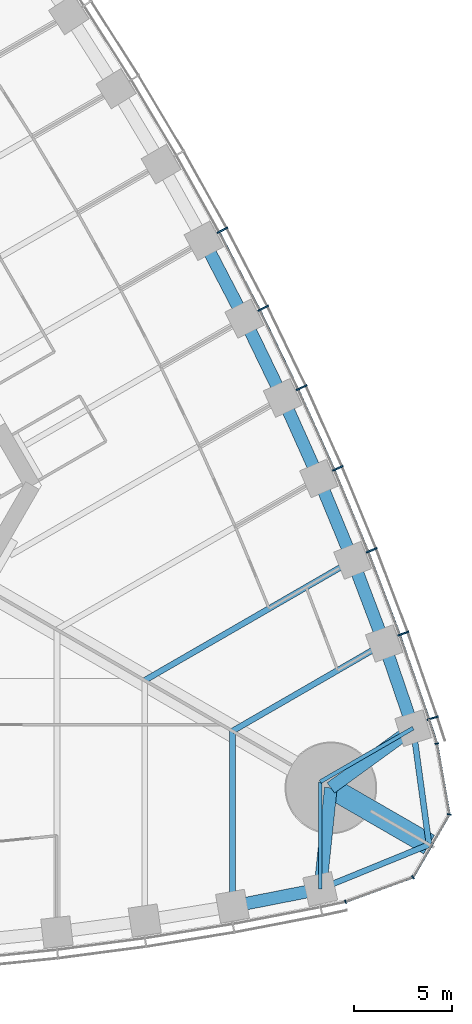
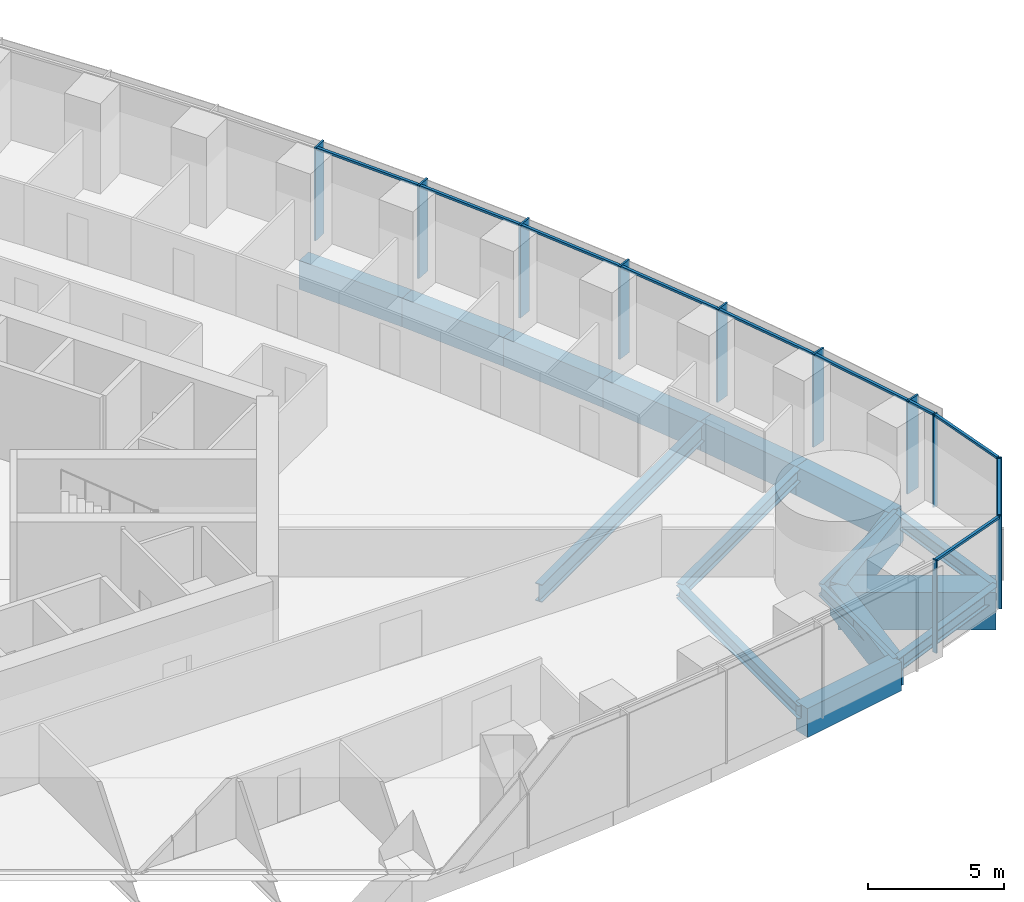
# One storey, part 6 of 18: 21 members, 17 beams, 2 elements without a shape of their own.
"""IFC4 building model written with IfcOpenShell, lengths in metres."""

from ifc_helpers import new_model, si_unit, direction, frame, origin, origin_2d, place, context, subcontext, project, spatial, rectangle, i_section, extrude, material, material_profile, profile_set, type_object, element, aggregate, save


model = new_model("IFC4")

# Units and contexts
model_context = context("Model", 3, precision=1e-05, world=origin(), true_north=direction((0.0, 1.0)))
body_context = subcontext(model_context, "Body", "Model", "MODEL_VIEW")
ifc_project = project(units=[si_unit("LENGTHUNIT", "METRE"), si_unit("AREAUNIT", "SQUARE_METRE"), si_unit("VOLUMEUNIT", "CUBIC_METRE"), si_unit("PLANEANGLEUNIT", "RADIAN"), si_unit("MASSUNIT", "GRAM", prefix="KILO")], contexts=[model_context])

# Site, building, storey
site_placement = place(None, origin())
site = spatial("IfcSite", under=ifc_project, at=site_placement, CompositionType="ELEMENT")
building_placement = place(site_placement, origin())
building = spatial("IfcBuilding", under=site, at=building_placement, Name="Trefoil Bronze Tower", CompositionType="ELEMENT")
storey_placement = place(building_placement, frame((0.0, 0.0, 58.5)))
storey = spatial("IfcBuildingStorey", under=building, at=storey_placement, Name="L13", CompositionType="ELEMENT", Elevation=58.5)

# Curtain wall, members
ifc_material_1 = material(Name="Tinted solar-control glass", Category="glass")
curtain_wall_type_1 = type_object("IfcCurtainWallType", Name="Bronze office curtain wall", PredefinedType="USERDEFINED", material=ifc_material_1)
curtain_wall_1_placement = place(storey_placement, origin())
curtain_wall_1 = element("IfcCurtainWall", 1, at=curtain_wall_1_placement, inside=storey, type_object=curtain_wall_type_1, Name="CW-A L13 F2", ObjectType="CURTAIN WALL", PredefinedType="USERDEFINED")
ifc_material_2 = material(Name="Bronze-finish aluminium", Category="aluminium")
ifc_material_profile_1 = material_profile(ifc_material_2, rectangle(XDim=0.60009765625, YDim=0.080078125, at=origin_2d()), Name="CW-A mullion")
ifc_profile_set_1 = profile_set([ifc_material_profile_1], Name="Bronze-finish aluminium")
member_type_1 = type_object("IfcMemberType", Name="Bronze office curtain wall mullion", PredefinedType="MULLION", material=ifc_profile_set_1)
member_1_placement = place(storey_placement, frame((37.265869140625, -14.92626953125, 0.0), z_axis=(0.0, 0.0, 1.0), x_axis=(-0.947850592929, -0.318715003543, 0.0)))
member_1 = element("IfcMember", 2, at=member_1_placement, type_object=member_type_1, Name="CW-A L13 F2 mullion 2", PredefinedType="MULLION", context=body_context, shape_type="SweptSolid", body=[
    extrude(rectangle(XDim=0.60009765625, YDim=0.080078125, at=origin_2d()), origin(), (0.0, 0.0, 1.0), 4.179931640625),
])
member_2_placement = place(storey_placement, frame((35.761962890625, -10.590087890625, 0.0), z_axis=(0.0, 0.0, 1.0), x_axis=(-0.939860248316, -0.341559238839, 0.0)))
member_2 = element("IfcMember", 3, at=member_2_placement, type_object=member_type_1, Name="CW-A L13 F2 mullion 3", PredefinedType="MULLION", context=body_context, shape_type="SweptSolid", body=[
    extrude(rectangle(XDim=0.60009765625, YDim=0.080078125, at=origin_2d()), origin(), (0.0, 0.0, 1.0), 4.179931640625),
])
member_3_placement = place(storey_placement, frame((34.138916015625, -6.32080078125, 0.0), z_axis=(0.0, 0.0, 1.0), x_axis=(-0.929413605838, -0.369039766534, 0.0)))
member_3 = element("IfcMember", 4, at=member_3_placement, type_object=member_type_1, Name="CW-A L13 F2 mullion 4", PredefinedType="MULLION", context=body_context, shape_type="SweptSolid", body=[
    extrude(rectangle(XDim=0.60009765625, YDim=0.080078125, at=origin_2d()), origin(), (0.0, 0.0, 1.0), 4.179931640625),
])
member_4_placement = place(storey_placement, frame((32.39892578125, -2.119384765625, 0.0), z_axis=(0.0, 0.0, 1.0), x_axis=(-0.918213748442, -0.396085233469, 0.0)))
member_4 = element("IfcMember", 5, at=member_4_placement, type_object=member_type_1, Name="CW-A L13 F2 mullion 5", PredefinedType="MULLION", context=body_context, shape_type="SweptSolid", body=[
    extrude(rectangle(XDim=0.60009765625, YDim=0.080078125, at=origin_2d()), origin(), (0.0, 0.0, 1.0), 4.179931640625),
])
member_5_placement = place(storey_placement, frame((30.543212890625, 2.015380859375, 0.0), z_axis=(0.0, 0.0, 1.0), x_axis=(-0.906269346572, -0.422700687798, 0.0)))
member_5 = element("IfcMember", 6, at=member_5_placement, type_object=member_type_1, Name="CW-A L13 F2 mullion 6", PredefinedType="MULLION", context=body_context, shape_type="SweptSolid", body=[
    extrude(rectangle(XDim=0.60009765625, YDim=0.080078125, at=origin_2d()), origin(), (0.0, 0.0, 1.0), 4.179931640625),
])
member_6_placement = place(storey_placement, frame((28.57275390625, 6.084228515625, 0.0), z_axis=(0.0, 0.0, 1.0), x_axis=(-0.893587025891, -0.448889994497, 0.0)))
member_6 = element("IfcMember", 7, at=member_6_placement, type_object=member_type_1, Name="CW-A L13 F2 mullion 7", PredefinedType="MULLION", context=body_context, shape_type="SweptSolid", body=[
    extrude(rectangle(XDim=0.60009765625, YDim=0.080078125, at=origin_2d()), origin(), (0.0, 0.0, 1.0), 4.179931640625),
])
member_7_placement = place(storey_placement, frame((26.488525390625, 10.0869140625, 0.0), z_axis=(0.0, 0.0, 1.0), x_axis=(-0.880171454588, -0.474655886437, 0.0)))
member_7 = element("IfcMember", 8, at=member_7_placement, type_object=member_type_1, Name="CW-A L13 F2 mullion 8", PredefinedType="MULLION", context=body_context, shape_type="SweptSolid", body=[
    extrude(rectangle(XDim=0.60009765625, YDim=0.080078125, at=origin_2d()), origin(), (0.0, 0.0, 1.0), 4.179931640625),
])
ifc_material_3 = material(Name="Bronze-finish aluminium", Category="aluminium")
ifc_material_profile_2 = material_profile(ifc_material_3, rectangle(XDim=0.1201171875, YDim=0.10009765625, at=origin_2d()), Name="CW-A transom")
ifc_profile_set_2 = profile_set([ifc_material_profile_2], Name="Bronze-finish aluminium")
member_type_2 = type_object("IfcMemberType", Name="Bronze office curtain wall transom", PredefinedType="USERDEFINED", material=ifc_profile_set_2)
member_8_placement = place(storey_placement, frame((37.4638671875, -16.1796875, 4.1298828125), z_axis=(-0.309624219148, 0.950859002648, 0.0), x_axis=(-0.950859002648, -0.309624219148, 0.0)))
member_8 = element("IfcMember", 9, at=member_8_placement, type_object=member_type_2, Name="CW-A L13 F2 transom 1", ObjectType="TRANSOM", PredefinedType="USERDEFINED", context=body_context, shape_type="SweptSolid", body=[
    extrude(rectangle(XDim=0.1201171875, YDim=0.10009765625, at=origin_2d()), origin(), (0.0, 0.0, 1.0), 1.21044921875),
])
member_9_placement = place(storey_placement, frame((37.06298828125, -14.951171875, 4.1298828125), z_axis=(-0.327689728493, 0.944785394595, 0.0), x_axis=(-0.944785394595, -0.327689728493, 0.0)))
member_9 = element("IfcMember", 10, at=member_9_placement, type_object=member_type_2, Name="CW-A L13 F2 transom 2", ObjectType="TRANSOM", PredefinedType="USERDEFINED", context=body_context, shape_type="SweptSolid", body=[
    extrude(rectangle(XDim=0.1201171875, YDim=0.10009765625, at=origin_2d()), origin(), (0.0, 0.0, 1.0), 4.502197265625),
])
member_10_placement = place(storey_placement, frame((35.559326171875, -10.61962890625, 4.1298828125), z_axis=(-0.355367327392, 0.934726731522, 0.0), x_axis=(-0.934726731522, -0.355367327392, 0.0)))
member_10 = element("IfcMember", 11, at=member_10_placement, type_object=member_type_2, Name="CW-A L13 F2 transom 3", ObjectType="TRANSOM", PredefinedType="USERDEFINED", context=body_context, shape_type="SweptSolid", body=[
    extrude(rectangle(XDim=0.1201171875, YDim=0.10009765625, at=origin_2d()), origin(), (0.0, 0.0, 1.0), 4.478515625),
])
member_11_placement = place(storey_placement, frame((33.937255859375, -6.3564453125, 4.1298828125), z_axis=(-0.382616149417, 0.923907399151, 0.0), x_axis=(-0.923907399151, -0.382616149417, 0.0)))
member_11 = element("IfcMember", 12, at=member_11_placement, type_object=member_type_2, Name="CW-A L13 F2 transom 4", ObjectType="TRANSOM", PredefinedType="USERDEFINED", context=body_context, shape_type="SweptSolid", body=[
    extrude(rectangle(XDim=0.1201171875, YDim=0.10009765625, at=origin_2d()), origin(), (0.0, 0.0, 1.0), 4.458984375),
])
member_12_placement = place(storey_placement, frame((32.1982421875, -2.16064453125, 4.1298828125), z_axis=(-0.409459746452, 0.912328184392, 0.0), x_axis=(-0.912328184392, -0.409459746452, 0.0)))
member_12 = element("IfcMember", 13, at=member_12_placement, type_object=member_type_2, Name="CW-A L13 F2 transom 5", ObjectType="TRANSOM", PredefinedType="USERDEFINED", context=body_context, shape_type="SweptSolid", body=[
    extrude(rectangle(XDim=0.1201171875, YDim=0.10009765625, at=origin_2d()), origin(), (0.0, 0.0, 1.0), 4.443359375),
])
member_13_placement = place(storey_placement, frame((30.34375, 1.96826171875, 4.1298828125), z_axis=(-0.435851763293, 0.900018466719, 0.0), x_axis=(-0.900018466719, -0.435851763293, 0.0)))
member_13 = element("IfcMember", 14, at=member_13_placement, type_object=member_type_2, Name="CW-A L13 F2 transom 6", ObjectType="TRANSOM", PredefinedType="USERDEFINED", context=body_context, shape_type="SweptSolid", body=[
    extrude(rectangle(XDim=0.1201171875, YDim=0.10009765625, at=origin_2d()), origin(), (0.0, 0.0, 1.0), 4.431884765625),
])
member_14_placement = place(storey_placement, frame((28.375, 6.031005859375, 4.1298828125), z_axis=(-0.461809621225, 0.886979071762, 0.0), x_axis=(-0.886979071762, -0.461809621225, 0.0)))
member_14 = element("IfcMember", 15, at=member_14_placement, type_object=member_type_2, Name="CW-A L13 F2 transom 7", ObjectType="TRANSOM", PredefinedType="USERDEFINED", context=body_context, shape_type="SweptSolid", body=[
    extrude(rectangle(XDim=0.1201171875, YDim=0.10009765625, at=origin_2d()), origin(), (0.0, 0.0, 1.0), 4.42431640625),
])
aggregate(curtain_wall_1, [member_1, member_2, member_3, member_4, member_5, member_6, member_7, member_8, member_9, member_10, member_11, member_12, member_13, member_14])

ifc_material_4 = material(Name="Tinted solar-control glass", Category="glass")
curtain_wall_type_2 = type_object("IfcCurtainWallType", Name="Bronze rounded corner curtain wall", PredefinedType="USERDEFINED", material=ifc_material_4)
curtain_wall_2_placement = place(storey_placement, origin())
curtain_wall_2 = element("IfcCurtainWall", 16, at=curtain_wall_2_placement, inside=storey, type_object=curtain_wall_type_2, Name="CW-B L13 K1", ObjectType="CURTAIN WALL", PredefinedType="USERDEFINED")
ifc_material_5 = material(Name="Bronze-finish aluminium", Category="aluminium")
ifc_material_profile_3 = material_profile(ifc_material_5, rectangle(XDim=0.199951171875, YDim=0.06005859375, at=origin_2d()), Name="CW-B mullion")
ifc_profile_set_3 = profile_set([ifc_material_profile_3], Name="Bronze-finish aluminium")
member_type_3 = type_object("IfcMemberType", Name="Bronze rounded corner curtain wall mullion", PredefinedType="MULLION", material=ifc_profile_set_3)
member_15_placement = place(storey_placement, frame((32.796630859375, -24.3427734375, 0.0), z_axis=(0.0, 0.0, 1.0), x_axis=(-0.342020143326, 0.939692620786, 0.0)))
member_15 = element("IfcMember", 17, at=member_15_placement, type_object=member_type_3, Name="CW-B L13 K1 mullion 1", PredefinedType="MULLION", context=body_context, shape_type="SweptSolid", body=[
    extrude(rectangle(XDim=0.199951171875, YDim=0.06005859375, at=origin_2d()), origin(), (0.0, 0.0, 1.0), 4.179931640625),
])
member_16_placement = place(storey_placement, frame((36.2548828125, -23.07763671875, 0.0), z_axis=(0.0, 0.0, 1.0), x_axis=(-0.642787609687, 0.766044443119, 0.0)))
member_16 = element("IfcMember", 18, at=member_16_placement, type_object=member_type_3, Name="CW-B L13 K1 mullion 2", PredefinedType="MULLION", context=body_context, shape_type="SweptSolid", body=[
    extrude(rectangle(XDim=0.199951171875, YDim=0.06005859375, at=origin_2d()), origin(), (0.0, 0.0, 1.0), 4.179931640625),
])
member_17_placement = place(storey_placement, frame((38.11328125, -19.85888671875, 0.0), z_axis=(0.0, 0.0, 1.0), x_axis=(-0.984807753012, 0.173648177667, 0.0)))
member_17 = element("IfcMember", 19, at=member_17_placement, type_object=member_type_3, Name="CW-B L13 K1 mullion 3", PredefinedType="MULLION", context=body_context, shape_type="SweptSolid", body=[
    extrude(rectangle(XDim=0.199951171875, YDim=0.06005859375, at=origin_2d()), origin(), (0.0, 0.0, 1.0), 4.179931640625),
])
member_18_placement = place(storey_placement, frame((37.479736328125, -16.2314453125, 0.0), z_axis=(0.0, 0.0, 1.0), x_axis=(-0.984807753012, -0.173648177667, 0.0)))
member_18 = element("IfcMember", 20, at=member_18_placement, type_object=member_type_3, Name="CW-B L13 K1 mullion 4", PredefinedType="MULLION", context=body_context, shape_type="SweptSolid", body=[
    extrude(rectangle(XDim=0.199951171875, YDim=0.06005859375, at=origin_2d()), origin(), (0.0, 0.0, 1.0), 4.179931640625),
])
ifc_material_6 = material(Name="Bronze-finish aluminium", Category="aluminium")
ifc_material_profile_4 = material_profile(ifc_material_6, rectangle(XDim=0.1201171875, YDim=0.10009765625, at=origin_2d()), Name="CW-B transom")
ifc_profile_set_4 = profile_set([ifc_material_profile_4], Name="Bronze-finish aluminium")
member_type_4 = type_object("IfcMemberType", Name="Bronze rounded corner curtain wall transom", PredefinedType="USERDEFINED", material=ifc_profile_set_4)
member_19_placement = place(storey_placement, frame((32.82470703125, -24.33251953125, 4.1298828125), z_axis=(0.939688092095, 0.342032585545, 0.0), x_axis=(-0.342032585545, 0.939688092095, 0.0)))
member_19 = element("IfcMember", 21, at=member_19_placement, type_object=member_type_4, Name="CW-B L13 K1 transom 1", ObjectType="TRANSOM", PredefinedType="USERDEFINED", context=body_context, shape_type="SweptSolid", body=[
    extrude(rectangle(XDim=0.1201171875, YDim=0.10009765625, at=origin_2d()), origin(), (0.0, 0.0, 1.0), 3.588134765625),
])
member_20_placement = place(storey_placement, frame((36.292236328125, -23.02490234375, 4.1298828125), z_axis=(0.500024788772, 0.866011091507, 0.0), x_axis=(-0.866011091507, 0.500024788772, 0.0)))
member_20 = element("IfcMember", 22, at=member_20_placement, type_object=member_type_4, Name="CW-B L13 K1 transom 2", ObjectType="TRANSOM", PredefinedType="USERDEFINED", context=body_context, shape_type="SweptSolid", body=[
    extrude(rectangle(XDim=0.1201171875, YDim=0.10009765625, at=origin_2d()), origin(), (0.0, 0.0, 1.0), 3.588134765625),
])
member_21_placement = place(storey_placement, frame((38.10791015625, -19.794677734375, 4.1298828125), z_axis=(-0.17363783606, 0.984809576461, 0.0), x_axis=(-0.984809576461, -0.17363783606, 0.0)))
member_21 = element("IfcMember", 23, at=member_21_placement, type_object=member_type_4, Name="CW-B L13 K1 transom 3", ObjectType="TRANSOM", PredefinedType="USERDEFINED", context=body_context, shape_type="SweptSolid", body=[
    extrude(rectangle(XDim=0.1201171875, YDim=0.10009765625, at=origin_2d()), origin(), (0.0, 0.0, 1.0), 3.588134765625),
])
aggregate(curtain_wall_2, [member_15, member_16, member_17, member_18, member_19, member_20, member_21])

# Beams
ifc_material_7 = material(Name="Concrete B80", Category="concrete")
ifc_material_profile_5 = material_profile(ifc_material_7, rectangle(XDim=1.10009765625, YDim=1.699951171875, at=origin_2d()), Name="RC 1100x1700")
ifc_profile_set_5 = profile_set([ifc_material_profile_5], Name="Concrete B80")
beam_type_1 = type_object("IfcBeamType", Name="Corner cantilever RC 1100x1700", PredefinedType="BEAM", material=ifc_profile_set_5)
beam_1_placement = place(storey_placement, frame((32.04296875, -18.5, -1.050048828125), z_axis=(0.866030348588, -0.499991435252, 0.0), x_axis=(0.499991435252, 0.866030348588, 0.0)))
element("IfcBeam", 24, at=beam_1_placement, inside=storey, type_object=beam_type_1, Name="Corner cantilever K1 L13", PredefinedType="BEAM", context=body_context, shape_type="SweptSolid", body=[
    extrude(rectangle(XDim=1.10009765625, YDim=1.699951171875, at=origin_2d()), origin(), (0.0, 0.0, 1.0), 5.81396484375),
])
ifc_material_8 = material(Name="Steel C355", Category="steel")
ifc_material_profile_6 = material_profile(ifc_material_8, i_section(OverallWidth=0.300048828125, OverallDepth=0.60009765625, WebThickness=0.015380859375, FlangeThickness=0.030029296875, FilletRadius=0.027099609375, at=origin_2d()), Name="HEB 600")
ifc_profile_set_6 = profile_set([ifc_material_profile_6], Name="Steel C355")
beam_type_2 = type_object("IfcBeamType", Name="Corner edge beam HEB 600", PredefinedType="BEAM", material=ifc_profile_set_6)
beam_2_placement = place(storey_placement, frame((31.5, -23.684814453125, -0.5), z_axis=(0.925786874353, 0.378045848114, 0.0), x_axis=(-0.378045848114, 0.925786874353, 0.0)))
element("IfcBeam", 25, at=beam_2_placement, inside=storey, type_object=beam_type_2, Name="Corner edge beam F1A L13", PredefinedType="BEAM", context=body_context, shape_type="SweptSolid", body=[
    extrude(i_section(OverallWidth=0.300048828125, OverallDepth=0.60009765625, WebThickness=0.015380859375, FlangeThickness=0.030029296875, FilletRadius=0.027099609375, at=origin_2d()), origin(), (0.0, 0.0, 1.0), 6.025390625),
])
beam_3_placement = place(storey_placement, frame((36.26171875, -15.4375, -0.5), z_axis=(0.13550196505, -0.990777077585, 0.0), x_axis=(0.990777077585, 0.13550196505, 0.0)))
element("IfcBeam", 26, at=beam_3_placement, inside=storey, type_object=beam_type_2, Name="Corner edge beam F2B L13", PredefinedType="BEAM", context=body_context, shape_type="SweptSolid", body=[
    extrude(i_section(OverallWidth=0.300048828125, OverallDepth=0.60009765625, WebThickness=0.015380859375, FlangeThickness=0.030029296875, FilletRadius=0.027099609375, at=origin_2d()), origin(), (0.0, 0.0, 1.0), 6.025146484375),
])
ifc_material_9 = material(Name="Concrete B80", Category="concrete")
ifc_material_profile_7 = material_profile(ifc_material_9, rectangle(XDim=0.64990234375, YDim=1.300048828125, at=origin_2d()), Name="RC 650x1300")
ifc_profile_set_7 = profile_set([ifc_material_profile_7], Name="Concrete B80")
beam_type_3 = type_object("IfcBeamType", Name="End spandrel beam RC 650x1300", PredefinedType="SPANDREL", material=ifc_profile_set_7)
for number, where, z_axis, x_axis, name in (
    (27, (31.5, -23.684814453125, -0.85009765625), (0.104153327908, 0.994561252154, 0.0), (-0.994561252154, 0.104153327908, 0.0), "Spandrel F1.16 L13"),
    (28, (32.04296875, -18.5, -0.85009765625), (0.809254211267, 0.587458612624, 0.0), (-0.587458612624, 0.809254211267, 0.0), "Spandrel F2.1 L13"),
):
    element("IfcBeam", number, at=place(storey_placement, frame(where, z_axis=z_axis, x_axis=x_axis)), inside=storey, type_object=beam_type_3, Name=name, PredefinedType="SPANDREL", context=body_context, shape_type="SweptSolid", body=[
        extrude(rectangle(XDim=0.64990234375, YDim=1.300048828125, at=origin_2d()), origin(), (0.0, 0.0, 1.0), 5.213134765625),
    ])
ifc_material_10 = material(Name="Steel C355", Category="steel")
ifc_material_profile_8 = material_profile(ifc_material_10, i_section(OverallWidth=0.300048828125, OverallDepth=0.590087890625, WebThickness=0.012939453125, FlangeThickness=0.02490234375, FilletRadius=0.027099609375, at=origin_2d()), Name="HEA 600")
ifc_profile_set_8 = profile_set([ifc_material_profile_8], Name="Steel C355")
beam_type_4 = type_object("IfcBeamType", Name="Floor beam HEA 600", PredefinedType="BEAM", material=ifc_profile_set_8)
for number, where, z_axis, x_axis, name in (
    (29, (27.0, -24.56787109375, -0.4951171875), (0.0, 1.0, 0.0), (-1.0, 0.0, 0.0), "Floor beam F1/+6 L13"),
    (30, (34.7763671875, -11.0986328125, -0.4951171875), (-0.866022587327, -0.500004878216, 0.0), (0.500004878216, -0.866022587327, 0.0), "Floor beam F2/-6 L13"),
):
    element("IfcBeam", number, at=place(storey_placement, frame(where, z_axis=z_axis, x_axis=x_axis)), inside=storey, type_object=beam_type_4, Name=name, PredefinedType="BEAM", context=body_context, shape_type="SweptSolid", body=[
        extrude(i_section(OverallWidth=0.300048828125, OverallDepth=0.590087890625, WebThickness=0.012939453125, FlangeThickness=0.02490234375, FilletRadius=0.027099609375, at=origin_2d()), origin(), (0.0, 0.0, 1.0), 8.9794921875),
    ])
ifc_material_11 = material(Name="Steel C355", Category="steel")
ifc_material_profile_9 = material_profile(ifc_material_11, i_section(OverallWidth=0.300048828125, OverallDepth=0.800048828125, WebThickness=0.017578125, FlangeThickness=0.032958984375, FilletRadius=0.030029296875, at=origin_2d()), Name="HEB 800")
ifc_profile_set_9 = profile_set([ifc_material_profile_9], Name="Steel C355")
beam_type_5 = type_object("IfcBeamType", Name="Floor beam HEB 800", PredefinedType="BEAM", material=ifc_profile_set_9)
beam_4_placement = place(storey_placement, frame((33.159912109375, -6.8359375, -0.60009765625), z_axis=(-0.866024070878, -0.500002308654, 0.0), x_axis=(0.500002308654, -0.866024070878, 0.0)))
element("IfcBeam", 31, at=beam_4_placement, inside=storey, type_object=beam_type_5, Name="Floor beam F2/-5 L13", PredefinedType="BEAM", context=body_context, shape_type="SweptSolid", body=[
    extrude(i_section(OverallWidth=0.300048828125, OverallDepth=0.800048828125, WebThickness=0.017578125, FlangeThickness=0.032958984375, FilletRadius=0.030029296875, at=origin_2d()), origin(), (0.0, 0.0, 1.0), 12.30908203125),
])
ifc_material_12 = material(Name="Steel C355", Category="steel")
ifc_material_profile_10 = material_profile(ifc_material_12, i_section(OverallWidth=0.199951171875, OverallDepth=0.5, WebThickness=0.01025390625, FlangeThickness=0.01611328125, FilletRadius=0.02099609375, at=origin_2d()), Name="IPE 500")
ifc_profile_set_10 = profile_set([ifc_material_profile_10], Name="Steel C355")
beam_type_6 = type_object("IfcBeamType", Name="Floor beam IPE 500", PredefinedType="BEAM", material=ifc_profile_set_10)
for number, where, z_axis, x_axis, name in (
    (32, (31.5, -23.684814453125, -0.449951171875), (0.0, 1.0, 0.0), (-1.0, 0.0, 0.0), "Floor beam F1/+7 L13"),
    (33, (36.26171875, -15.4375, -0.449951171875), (-0.866037702141, -0.499978698016, 0.0), (0.499978698016, -0.866037702141, 0.0), "Floor beam F2/-7 L13"),
):
    element("IfcBeam", number, at=place(storey_placement, frame(where, z_axis=z_axis, x_axis=x_axis)), inside=storey, type_object=beam_type_6, Name=name, PredefinedType="BEAM", context=body_context, shape_type="SweptSolid", body=[
        extrude(i_section(OverallWidth=0.199951171875, OverallDepth=0.5, WebThickness=0.01025390625, FlangeThickness=0.01611328125, FilletRadius=0.02099609375, at=origin_2d()), origin(), (0.0, 0.0, 1.0), 5.498291015625),
    ])
ifc_material_13 = material(Name="Concrete B80", Category="concrete")
ifc_material_profile_11 = material_profile(ifc_material_13, rectangle(XDim=0.64990234375, YDim=1.300048828125, at=origin_2d()), Name="RC 650x1300")
ifc_profile_set_11 = profile_set([ifc_material_profile_11], Name="Concrete B80")
beam_type_7 = type_object("IfcBeamType", Name="Spandrel beam RC 650x1300", PredefinedType="SPANDREL", material=ifc_profile_set_11)
beam_5_placement = place(storey_placement, frame((27.0, -24.56787109375, -0.85009765625), z_axis=(0.981284764092, 0.192562228283, 0.0), x_axis=(-0.192562228283, 0.981284764092, 0.0)))
element("IfcBeam", 34, at=beam_5_placement, inside=storey, type_object=beam_type_7, Name="Spandrel F1.15 L13", PredefinedType="SPANDREL", context=body_context, shape_type="SweptSolid", body=[
    extrude(rectangle(XDim=0.64990234375, YDim=1.300048828125, at=origin_2d()), origin(), (0.0, 0.0, 1.0), 4.5859375),
])
beam_6_placement = place(storey_placement, frame((36.26171875, -15.4375, -0.85009765625), z_axis=(-0.323883319148, 0.946097032855, 0.0), x_axis=(-0.946097032855, -0.323883319148, 0.0)))
element("IfcBeam", 35, at=beam_6_placement, inside=storey, type_object=beam_type_7, Name="Spandrel F2.2 L13", PredefinedType="SPANDREL", context=body_context, shape_type="SweptSolid", body=[
    extrude(rectangle(XDim=0.64990234375, YDim=1.300048828125, at=origin_2d()), origin(), (0.0, 0.0, 1.0), 4.586181640625),
])
beam_7_placement = place(storey_placement, frame((34.7763671875, -11.0986328125, -0.85009765625), z_axis=(-0.354571899767, 0.935028752443, 0.0), x_axis=(-0.935028752443, -0.354571899767, 0.0)))
element("IfcBeam", 36, at=beam_7_placement, inside=storey, type_object=beam_type_7, Name="Spandrel F2.3 L13", PredefinedType="SPANDREL", context=body_context, shape_type="SweptSolid", body=[
    extrude(rectangle(XDim=0.64990234375, YDim=1.300048828125, at=origin_2d()), origin(), (0.0, 0.0, 1.0), 4.558837890625),
])
beam_8_placement = place(storey_placement, frame((33.159912109375, -6.8359375, -0.85009765625), z_axis=(-0.382020825144, 0.924153715113, 0.0), x_axis=(-0.924153715113, -0.382020825144, 0.0)))
element("IfcBeam", 37, at=beam_8_placement, inside=storey, type_object=beam_type_7, Name="Spandrel F2.4 L13", PredefinedType="SPANDREL", context=body_context, shape_type="SweptSolid", body=[
    extrude(rectangle(XDim=0.64990234375, YDim=1.300048828125, at=origin_2d()), origin(), (0.0, 0.0, 1.0), 4.539306640625),
])
beam_9_placement = place(storey_placement, frame((31.42578125, -2.640869140625, -0.85009765625), z_axis=(-0.408945873044, 0.912558640812, 0.0), x_axis=(-0.912558640812, -0.408945873044, 0.0)))
element("IfcBeam", 38, at=beam_9_placement, inside=storey, type_object=beam_type_7, Name="Spandrel F2.5 L13", PredefinedType="SPANDREL", context=body_context, shape_type="SweptSolid", body=[
    extrude(rectangle(XDim=0.64990234375, YDim=1.300048828125, at=origin_2d()), origin(), (0.0, 0.0, 1.0), 4.5234375),
])
beam_10_placement = place(storey_placement, frame((29.575927734375, 1.487060546875, -0.85009765625), z_axis=(-0.435510013583, 0.900183885697, 0.0), x_axis=(-0.900183885697, -0.435510013583, 0.0)))
element("IfcBeam", 39, at=beam_10_placement, inside=storey, type_object=beam_type_7, Name="Spandrel F2.6 L13", PredefinedType="SPANDREL", context=body_context, shape_type="SweptSolid", body=[
    extrude(rectangle(XDim=0.64990234375, YDim=1.300048828125, at=origin_2d()), origin(), (0.0, 0.0, 1.0), 4.51220703125),
])
beam_11_placement = place(storey_placement, frame((27.61083984375, 5.548828125, -0.85009765625), z_axis=(-0.461637716615, 0.887068553495, 0.0), x_axis=(-0.887068553495, -0.461637716615, 0.0)))
element("IfcBeam", 40, at=beam_11_placement, inside=storey, type_object=beam_type_7, Name="Spandrel F2.7 L13", PredefinedType="SPANDREL", context=body_context, shape_type="SweptSolid", body=[
    extrude(rectangle(XDim=0.64990234375, YDim=1.300048828125, at=origin_2d()), origin(), (0.0, 0.0, 1.0), 4.50439453125),
])

save(model, "model.ifc")
